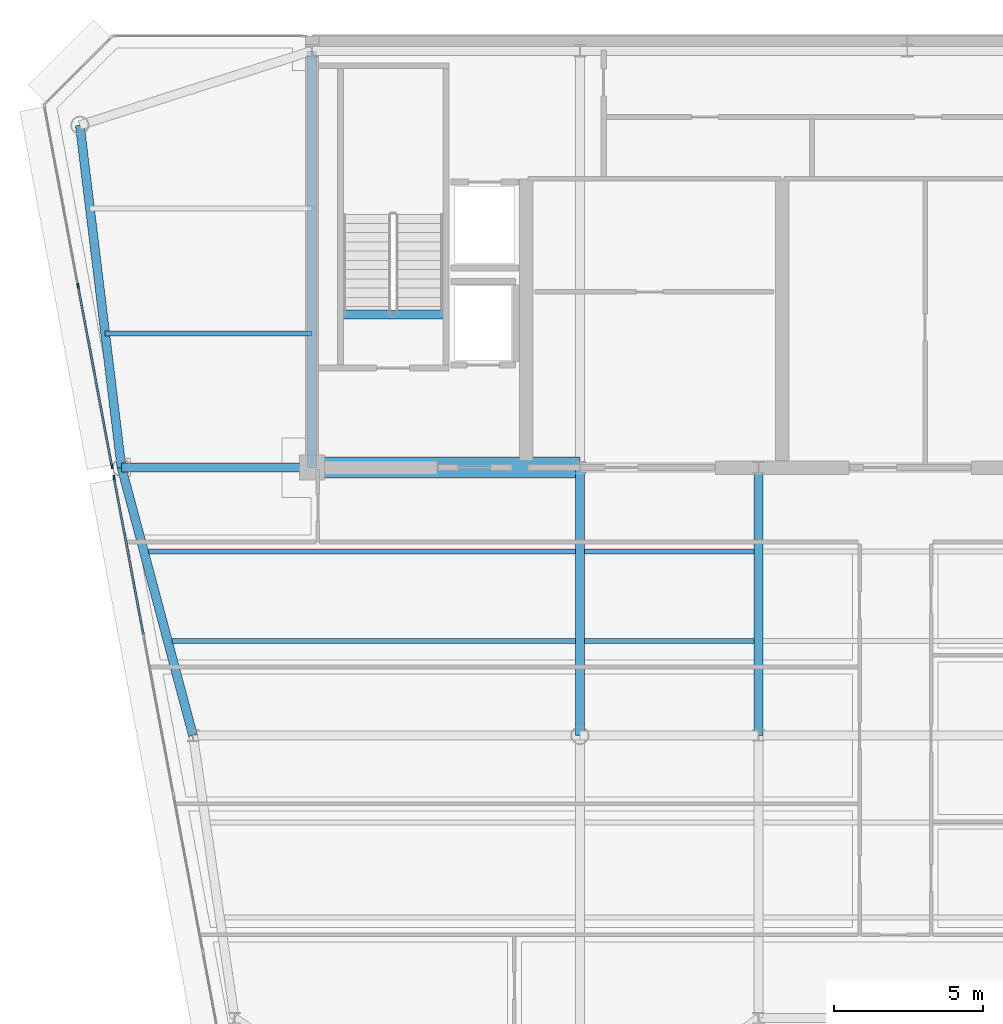
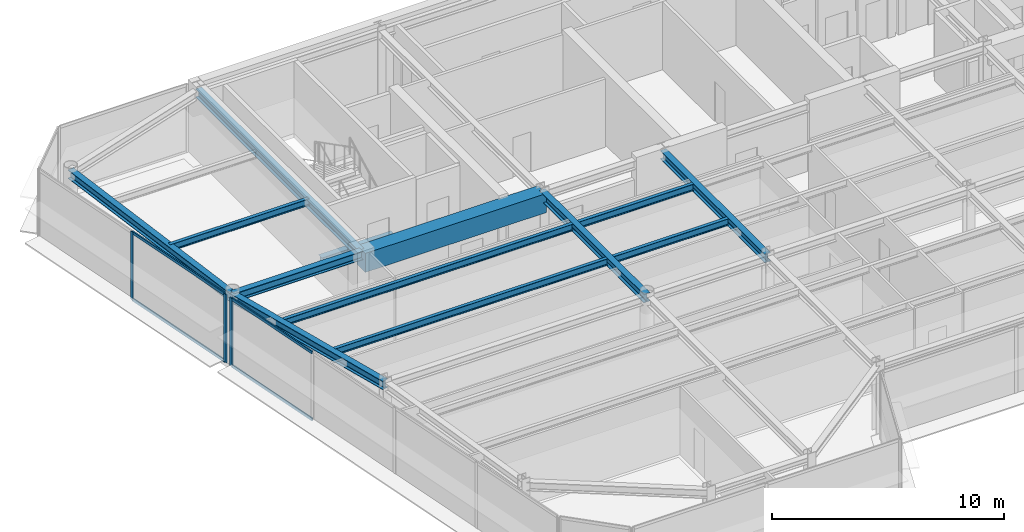
# One storey, part 4 of 20: 13 beams, 7 members, 2 elements without a shape of their own.
"""IFC4 building model written with IfcOpenShell, lengths in metres."""

from ifc_helpers import new_model, si_unit, direction, frame, origin, origin_2d, place, context, subcontext, project, spatial, rectangle, i_section, extrude, source, transform, mapped, material, layer, layer_set, material_profile, profile_set, type_object, element, aggregate, save


model = new_model("IFC4")

# Units and contexts
model_context = context("Model", 3, precision=1e-05, world=origin(), true_north=direction((0.0, 1.0)))
body_context = subcontext(model_context, "Body", "Model", "MODEL_VIEW")
ifc_project = project(units=[si_unit("LENGTHUNIT", "METRE"), si_unit("AREAUNIT", "SQUARE_METRE"), si_unit("VOLUMEUNIT", "CUBIC_METRE"), si_unit("PLANEANGLEUNIT", "RADIAN"), si_unit("MASSUNIT", "GRAM", prefix="KILO")], contexts=[model_context])

# Site, building, storey
site_placement = place(None, origin())
site = spatial("IfcSite", under=ifc_project, at=site_placement, CompositionType="ELEMENT")
building_placement = place(site_placement, origin())
building = spatial("IfcBuilding", under=site, at=building_placement, Name="Vaeldorn Concourse Tower", CompositionType="ELEMENT")
storey_placement = place(building_placement, frame((0.0, 0.0, 291.60009765625)))
storey = spatial("IfcBuildingStorey", under=building, at=storey_placement, Name="L75", CompositionType="ELEMENT", Elevation=291.60009765625)

# Beams
ifc_material_1 = material(Name="Concrete C50/60", Category="concrete")
ifc_material_profile_1 = material_profile(ifc_material_1, rectangle(XDim=0.699951171875, YDim=1.0, at=origin_2d()), Name="RC 700x1000")
ifc_profile_set_1 = profile_set([ifc_material_profile_1], Name="Concrete C50/60")
beam_type_1 = type_object("IfcBeamType", Name="BM-CB-RC700", PredefinedType="BEAM", material=ifc_profile_set_1)
shared_shape_1 = source(origin(), body_context, "Body", "SweptSolid", [
    extrude(rectangle(XDim=0.699951171875, YDim=1.0, at=origin_2d()), origin(), (0.0, 0.0, 1.0), 9.0),
])
beam_1_placement = place(storey_placement, frame((14.0, 36.5, 3.079833984375), z_axis=(1.0, 0.0, 0.0), x_axis=(0.0, 1.0, 0.0)))
element("IfcBeam", 1, at=beam_1_placement, inside=storey, type_object=beam_type_1, Name="Core Coupling Beam L75-1", PredefinedType="BEAM", context=body_context, shape_type="MappedRepresentation", body=[
    mapped(shared_shape_1, transform((0.0, 0.0, 0.0), scale=1.0)),
])
ifc_material_2 = material(Name="Steel S355", Category="steel")
ifc_material_profile_2 = material_profile(ifc_material_2, i_section(OverallWidth=0.300048828125, OverallDepth=0.340087890625, WebThickness=0.011962890625, FlangeThickness=0.021484375, FilletRadius=0.027099609375, at=origin_2d()), Name="HEB 340")
ifc_profile_set_2 = profile_set([ifc_material_profile_2], Name="Steel S355")
beam_type_2 = type_object("IfcBeamType", Name="BM-ST-TRIM", PredefinedType="BEAM", material=ifc_profile_set_2)
shared_shape_2 = source(origin(), body_context, "Body", "SweptSolid", [
    extrude(i_section(OverallWidth=0.300048828125, OverallDepth=0.340087890625, WebThickness=0.011962890625, FlangeThickness=0.021484375, FilletRadius=0.027099609375, at=origin_2d()), origin(), (0.0, 0.0, 1.0), 3.590087890625),
])
beam_2_placement = place(storey_placement, frame((14.929931640625, 41.639892578125, -0.39013671875), z_axis=(1.0, 0.0, 0.0), x_axis=(0.0, 1.0, 0.0)))
element("IfcBeam", 2, at=beam_2_placement, inside=storey, type_object=beam_type_2, Name="Stair Landing Trimmer Beam ST-1 L75", PredefinedType="BEAM", context=body_context, shape_type="MappedRepresentation", body=[
    mapped(shared_shape_2, transform((0.0, 0.0, 0.0), scale=1.0)),
])
ifc_material_profile_3 = material_profile(ifc_material_2, i_section(OverallWidth=0.169921875, OverallDepth=0.360107421875, WebThickness=0.008056640625, FlangeThickness=0.0126953125, FilletRadius=0.01806640625, at=origin_2d()), Name="IPE 360")
ifc_profile_set_3 = profile_set([ifc_material_profile_3], Name="Steel S355")
beam_type_3 = type_object("IfcBeamType", Name="BM-JS-IPE360", PredefinedType="JOIST", material=ifc_profile_set_3)
shared_shape_3 = source(origin(), body_context, "Body", "SweptSolid", [
    extrude(i_section(OverallWidth=0.169921875, OverallDepth=0.360107421875, WebThickness=0.008056640625, FlangeThickness=0.0126953125, FilletRadius=0.01806640625, at=origin_2d()), origin(), (0.0, 0.0, 1.0), 6.94775390625),
])
beam_3_placement = place(storey_placement, frame((7.05224609375, 41.0, 3.39990234375), z_axis=(1.0, 0.0, 0.0), x_axis=(0.0, 1.0, 0.0)))
element("IfcBeam", 3, at=beam_3_placement, inside=storey, type_object=beam_type_3, Name="Beam JS-L75-NW-410", PredefinedType="JOIST", context=body_context, shape_type="MappedRepresentation", body=[
    mapped(shared_shape_3, transform((0.0, 0.0, 0.0), scale=1.0)),
])
shared_shape_4 = source(origin(), body_context, "Body", "SweptSolid", [
    extrude(i_section(OverallWidth=0.169921875, OverallDepth=0.360107421875, WebThickness=0.008056640625, FlangeThickness=0.0126953125, FilletRadius=0.01806640625, at=origin_2d()), origin(), (0.0, 0.0, 1.0), 5.7001953125),
])
for number, where, z_axis, x_axis, name in (
    (4, (23.14990234375, 30.679931640625, 3.39990234375), (1.0, 0.0, 0.0), (0.0, 1.0, 0.0), "Beam JS-L75-W2-306"),
    (5, (23.14990234375, 33.679931640625, 3.39990234375), (1.0, 0.0, 0.0), (0.0, 1.0, 0.0), "Beam JS-L75-W2-336"),
):
    element("IfcBeam", number, at=place(storey_placement, frame(where, z_axis=z_axis, x_axis=x_axis)), inside=storey, type_object=beam_type_3, Name=name, PredefinedType="JOIST", context=body_context, shape_type="MappedRepresentation", body=[
        mapped(shared_shape_4, transform((0.0, 0.0, 0.0), scale=1.0)),
    ])
shared_shape_5 = source(origin(), body_context, "Body", "SweptSolid", [
    extrude(i_section(OverallWidth=0.169921875, OverallDepth=0.360107421875, WebThickness=0.008056640625, FlangeThickness=0.0126953125, FilletRadius=0.01806640625, at=origin_2d()), origin(), (0.0, 0.0, 1.0), 13.548095703125),
])
beam_4_placement = place(storey_placement, frame((9.302001953125, 30.679931640625, 3.39990234375), z_axis=(1.0, 0.0, 0.0), x_axis=(0.0, 1.0, 0.0)))
element("IfcBeam", 6, at=beam_4_placement, inside=storey, type_object=beam_type_3, Name="Beam JS-L75-W1-306", PredefinedType="JOIST", context=body_context, shape_type="MappedRepresentation", body=[
    mapped(shared_shape_5, transform((0.0, 0.0, 0.0), scale=1.0)),
])
shared_shape_6 = source(origin(), body_context, "Body", "SweptSolid", [
    extrude(i_section(OverallWidth=0.169921875, OverallDepth=0.360107421875, WebThickness=0.008056640625, FlangeThickness=0.0126953125, FilletRadius=0.01806640625, at=origin_2d()), origin(), (0.0, 0.0, 1.0), 14.34814453125),
])
beam_5_placement = place(storey_placement, frame((8.501953125, 33.679931640625, 3.39990234375), z_axis=(1.0, 0.0, 0.0), x_axis=(0.0, 1.0, 0.0)))
element("IfcBeam", 7, at=beam_5_placement, inside=storey, type_object=beam_type_3, Name="Beam JS-L75-W1-336", PredefinedType="JOIST", context=body_context, shape_type="MappedRepresentation", body=[
    mapped(shared_shape_6, transform((0.0, 0.0, 0.0), scale=1.0)),
])
ifc_material_profile_4 = material_profile(ifc_material_2, i_section(OverallWidth=0.300048828125, OverallDepth=0.449951171875, WebThickness=0.013916015625, FlangeThickness=0.02587890625, FilletRadius=0.027099609375, at=origin_2d()), Name="HEB 450")
ifc_profile_set_4 = profile_set([ifc_material_profile_4], Name="Steel S355")
beam_type_4 = type_object("IfcBeamType", Name="BM-PG-HEB450", PredefinedType="BEAM", material=ifc_profile_set_4)
shared_shape_7 = source(origin(), body_context, "Body", "SweptSolid", [
    extrude(i_section(OverallWidth=0.300048828125, OverallDepth=0.449951171875, WebThickness=0.013916015625, FlangeThickness=0.02587890625, FilletRadius=0.027099609375, at=origin_2d()), origin(), (0.0, 0.0, 1.0), 9.0),
])
for number, where, z_axis, x_axis, name in (
    (8, (23.0, 27.5, 3.35498046875), (0.0, 1.0, 0.0), (-1.0, 0.0, 0.0), "Beam BM-L75-C-TW1-C-FC2"),
    (9, (29.0, 27.5, 3.35498046875), (0.0, 1.0, 0.0), (-1.0, 0.0, 0.0), "Beam BM-L75-C-TW2-C-FC3"),
):
    element("IfcBeam", number, at=place(storey_placement, frame(where, z_axis=z_axis, x_axis=x_axis)), inside=storey, type_object=beam_type_4, Name=name, PredefinedType="BEAM", context=body_context, shape_type="MappedRepresentation", body=[
        mapped(shared_shape_7, transform((0.0, 0.0, 0.0), scale=1.0)),
    ])
shared_shape_8 = source(origin(), body_context, "Body", "SweptSolid", [
    extrude(i_section(OverallWidth=0.300048828125, OverallDepth=0.449951171875, WebThickness=0.013916015625, FlangeThickness=0.02587890625, FilletRadius=0.027099609375, at=origin_2d()), origin(), (0.0, 0.0, 1.0), 14.0),
])
beam_6_placement = place(storey_placement, frame((14.0, 36.5, 3.35498046875), z_axis=(0.0, 1.0, 0.0), x_axis=(-1.0, 0.0, 0.0)))
element("IfcBeam", 10, at=beam_6_placement, inside=storey, type_object=beam_type_4, Name="Beam BM-L75-C-FC1-C-HC1", PredefinedType="BEAM", context=body_context, shape_type="MappedRepresentation", body=[
    mapped(shared_shape_8, transform((0.0, 0.0, 0.0), scale=1.0)),
])
shared_shape_9 = source(origin(), body_context, "Body", "SweptSolid", [
    extrude(i_section(OverallWidth=0.300048828125, OverallDepth=0.449951171875, WebThickness=0.013916015625, FlangeThickness=0.02587890625, FilletRadius=0.027099609375, at=origin_2d()), origin(), (0.0, 0.0, 1.0), 11.5849609375),
])
beam_7_placement = place(storey_placement, frame((6.199951171875, 48.0, 3.35498046875), z_axis=(0.120859382899, -0.992669637677, 0.0), x_axis=(0.992669637677, 0.120859382899, 0.0)))
element("IfcBeam", 11, at=beam_7_placement, inside=storey, type_object=beam_type_4, Name="Beam BM-L75-C-NW1-C-NW2", PredefinedType="BEAM", context=body_context, shape_type="MappedRepresentation", body=[
    mapped(shared_shape_9, transform((0.0, 0.0, 0.0), scale=1.0)),
])
shared_shape_10 = source(origin(), body_context, "Body", "SweptSolid", [
    extrude(i_section(OverallWidth=0.300048828125, OverallDepth=0.449951171875, WebThickness=0.013916015625, FlangeThickness=0.02587890625, FilletRadius=0.027099609375, at=origin_2d()), origin(), (0.0, 0.0, 1.0), 6.39990234375),
])
beam_8_placement = place(storey_placement, frame((7.60009765625, 36.5, 3.35498046875), z_axis=(1.0, 0.0, 0.0), x_axis=(0.0, 1.0, 0.0)))
element("IfcBeam", 12, at=beam_8_placement, inside=storey, type_object=beam_type_4, Name="Beam BM-L75-C-NW2-C-FC1", PredefinedType="BEAM", context=body_context, shape_type="MappedRepresentation", body=[
    mapped(shared_shape_10, transform((0.0, 0.0, 0.0), scale=1.0)),
])
shared_shape_11 = source(origin(), body_context, "Body", "SweptSolid", [
    extrude(i_section(OverallWidth=0.300048828125, OverallDepth=0.449951171875, WebThickness=0.013916015625, FlangeThickness=0.02587890625, FilletRadius=0.027099609375, at=origin_2d()), origin(), (0.0, 0.0, 1.0), 9.314453125),
])
beam_9_placement = place(storey_placement, frame((7.60009765625, 36.5, 3.35498046875), z_axis=(0.257652862255, -0.966237549763, 0.0), x_axis=(0.966237549763, 0.257652862255, 0.0)))
element("IfcBeam", 13, at=beam_9_placement, inside=storey, type_object=beam_type_4, Name="Beam BM-L75-C-NW2-C-FLW1", PredefinedType="BEAM", context=body_context, shape_type="MappedRepresentation", body=[
    mapped(shared_shape_11, transform((0.0, 0.0, 0.0), scale=1.0)),
])

# Curtain wall, members
ifc_material_3 = material(Name="Anodised Bronze Aluminium", Category="aluminium")
ifc_layer = layer(ifc_material_3, 0.179931640625)
ifc_layer_set = layer_set([ifc_layer], Name="Anodised Bronze Aluminium")
curtain_wall_type = type_object("IfcCurtainWallType", Name="CW-SYS-05", PredefinedType="NOTDEFINED", material=ifc_layer_set)
curtain_wall_1_placement = place(storey_placement, origin())
curtain_wall_1 = element("IfcCurtainWall", 14, at=curtain_wall_1_placement, inside=storey, type_object=curtain_wall_type, Name="Unitised Curtain Wall CW-L75-E11-1", PredefinedType="NOTDEFINED")
ifc_material_profile_5 = material_profile(ifc_material_3, rectangle(XDim=0.06494140625, YDim=0.169921875, at=origin_2d()), Name="CWM 65x170")
ifc_profile_set_5 = profile_set([ifc_material_profile_5], Name="Anodised Bronze Aluminium")
member_type_1 = type_object("IfcMemberType", Name="CWM-BRONZE-170", PredefinedType="MULLION", material=ifc_profile_set_5)
shared_shape_12 = source(origin(), body_context, "Body", "SweptSolid", [
    extrude(rectangle(XDim=0.06494140625, YDim=0.169921875, at=origin_2d()), origin(), (0.0, 0.0, 1.0), 3.579833984375),
])
member_1_placement = place(storey_placement, frame((6.142578125, 42.605224609375, 0.0), z_axis=(0.0, 0.0, 1.0), x_axis=(0.982880218842, 0.184245693053, 0.0)))
member_1 = element("IfcMember", 15, at=member_1_placement, type_object=member_type_1, Name="CW-05 mullion 2", PredefinedType="MULLION", context=body_context, shape_type="MappedRepresentation", body=[
    mapped(shared_shape_12, transform((0.0, 0.0, 0.0), scale=1.0)),
])
member_2_placement = place(storey_placement, frame((7.279052734375, 36.542236328125, 0.0), z_axis=(0.0, 0.0, 1.0), x_axis=(0.982880218842, 0.184245693053, 0.0)))
member_2 = element("IfcMember", 16, at=member_2_placement, type_object=member_type_1, Name="CW-05 mullion 3", PredefinedType="MULLION", context=body_context, shape_type="MappedRepresentation", body=[
    mapped(shared_shape_12, transform((0.0, 0.0, 0.0), scale=1.0)),
])

curtain_wall_2_placement = place(storey_placement, origin())
curtain_wall_2 = element("IfcCurtainWall", 17, at=curtain_wall_2_placement, inside=storey, type_object=curtain_wall_type, Name="Unitised Curtain Wall CW-L75-E11-2", PredefinedType="NOTDEFINED")
member_3_placement = place(storey_placement, frame((7.35205078125, 36.153076171875, 0.0), z_axis=(0.0, 0.0, 1.0), x_axis=(0.982880027444, 0.184246714088, 0.0)))
member_3 = element("IfcMember", 18, at=member_3_placement, type_object=member_type_1, Name="CW-05 mullion 1", PredefinedType="MULLION", context=body_context, shape_type="MappedRepresentation", body=[
    mapped(shared_shape_12, transform((0.0, 0.0, 0.0), scale=1.0)),
])
ifc_material_profile_6 = material_profile(ifc_material_3, rectangle(XDim=0.06494140625, YDim=0.14990234375, at=origin_2d()), Name="CWT 65x150")
ifc_profile_set_6 = profile_set([ifc_material_profile_6], Name="Anodised Bronze Aluminium")
member_type_2 = type_object("IfcMemberType", Name="CWT-BRONZE-150", PredefinedType="USERDEFINED", material=ifc_profile_set_6)
shared_shape_13 = source(origin(), body_context, "Body", "SweptSolid", [
    extrude(rectangle(XDim=0.06494140625, YDim=0.14990234375, at=origin_2d()), origin(), (0.0, 0.0, 1.0), 5.31640625),
])
member_4_placement = place(storey_placement, frame((7.35791015625, 36.12109375, 0.032470703125), z_axis=(0.184241399207, -0.982881023735, 0.0), x_axis=(0.982881023735, 0.184241399207, 0.0)))
member_4 = element("IfcMember", 19, at=member_4_placement, type_object=member_type_2, Name="CW-05 transom 1.1", ObjectType="TRANSOM", PredefinedType="USERDEFINED", context=body_context, shape_type="MappedRepresentation", body=[
    mapped(shared_shape_13, transform((0.0, 0.0, 0.0), scale=1.0)),
])
member_5_placement = place(storey_placement, frame((7.35791015625, 36.12109375, 3.54736328125), z_axis=(0.184241399207, -0.982881023735, 0.0), x_axis=(0.982881023735, 0.184241399207, 0.0)))
member_5 = element("IfcMember", 20, at=member_5_placement, type_object=member_type_2, Name="CW-05 transom 1.2", ObjectType="TRANSOM", PredefinedType="USERDEFINED", context=body_context, shape_type="MappedRepresentation", body=[
    mapped(shared_shape_13, transform((0.0, 0.0, 0.0), scale=1.0)),
])
aggregate(curtain_wall_2, [member_3, member_4, member_5])

# Member
shared_shape_14 = source(origin(), body_context, "Body", "SweptSolid", [
    extrude(rectangle(XDim=0.06494140625, YDim=0.14990234375, at=origin_2d()), origin(), (0.0, 0.0, 1.0), 6.103515625),
])
member_6_placement = place(storey_placement, frame((6.1484375, 42.5732421875, 0.032470703125), z_axis=(0.18424023288, -0.982881242363, 0.0), x_axis=(0.982881242363, 0.18424023288, 0.0)))
member_6 = element("IfcMember", 21, at=member_6_placement, type_object=member_type_2, Name="CW-05 transom 2.1", ObjectType="TRANSOM", PredefinedType="USERDEFINED", context=body_context, shape_type="MappedRepresentation", body=[
    mapped(shared_shape_14, transform((0.0, 0.0, 0.0), scale=1.0)),
])

member_7_placement = place(storey_placement, frame((6.1484375, 42.5732421875, 3.54736328125), z_axis=(0.18424023288, -0.982881242363, 0.0), x_axis=(0.982881242363, 0.18424023288, 0.0)))
member_7 = element("IfcMember", 22, at=member_7_placement, type_object=member_type_2, Name="CW-05 transom 2.2", ObjectType="TRANSOM", PredefinedType="USERDEFINED", context=body_context, shape_type="MappedRepresentation", body=[
    mapped(shared_shape_14, transform((0.0, 0.0, 0.0), scale=1.0)),
])

aggregate(curtain_wall_1, [member_1, member_2, member_6, member_7])

save(model, "model.ifc")
